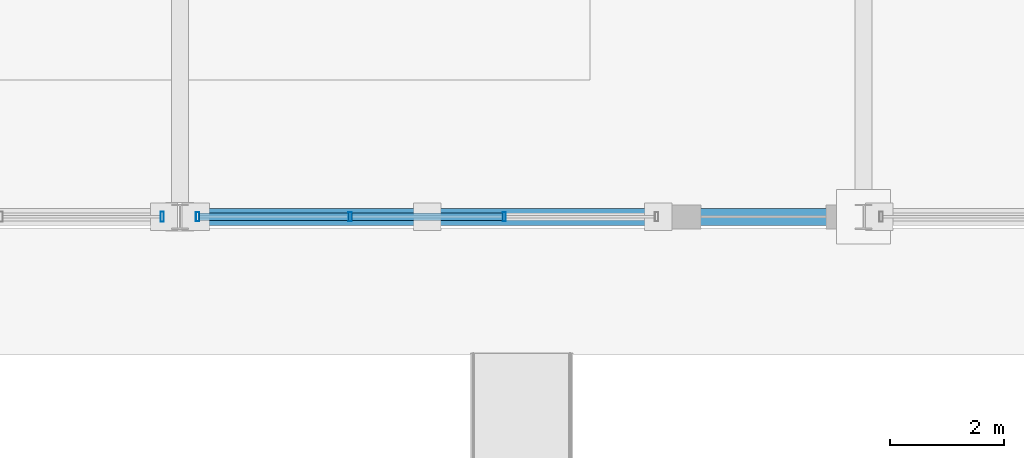
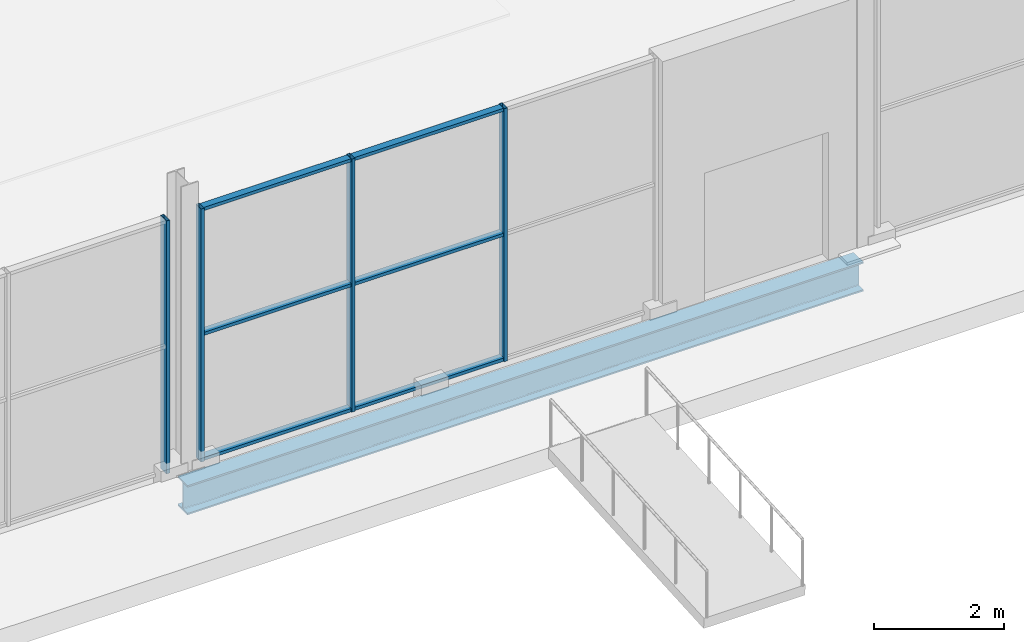
# One storey, part 69 of 196: 10 members, 1 beam, 2 elements without a shape of their own.
"""IFC4 building model written with IfcOpenShell, lengths in metres."""

import ifcopenshell
import ifcopenshell.guid

model = None  # the IFC model being written
_history = None  # IfcOwnerHistory: only IFC2X3 demands one
_inside = {}  # id of a spatial element -> (the spatial element, [elements in it])
_under = {}  # id of a project, library or spatial element -> (it, [spatial elements below it])
_declared = {}  # id of a project -> (the project, [libraries it declares])
_typed = {}  # id of a type object -> (the type object, [elements of that type])
_made_of = {}  # id of a material, layer set ... -> (it, [elements and type objects made of it])


def new_model(schema):
    """Start an empty IFC model of exactly this schema.

    Asked for "IFC4X3", IfcOpenShell would pick the latest addendum, in which some entities
    have other attributes; the version numbers below select the first issue.
    IFC2X3 requires an IfcOwnerHistory on every rooted entity: one is made here for all.
    """
    global model, _history
    if schema == "IFC4X3":
        model = ifcopenshell.file(schema_version=(4, 3, 0, 0))
    else:
        model = ifcopenshell.file(schema=schema)
    _inside.clear()
    _under.clear()
    _declared.clear()
    _typed.clear()
    _made_of.clear()
    _history = None
    if model.schema == "IFC2X3":
        org = make("IfcOrganization", Name="unknown")
        user = make(
            "IfcPersonAndOrganization",
            ThePerson=make("IfcPerson", FamilyName="unknown"),
            TheOrganization=org,
        )
        app = make(
            "IfcApplication",
            ApplicationDeveloper=org,
            Version="unknown",
            ApplicationFullName="unknown",
            ApplicationIdentifier="unknown",
        )
        _history = make(
            "IfcOwnerHistory",
            OwningUser=user,
            OwningApplication=app,
            ChangeAction="ADDED",
            CreationDate=0,
        )
    return model


def make(cls, **values):
    """One entity of the class cls with the attributes given. An attribute that is None is left unset."""
    return model.create_entity(
        cls, **{name: value for name, value in values.items() if value is not None}
    )


def rooted(cls, **values):
    """An entity with a GlobalId (a new one), such as an element, a storey or a relation."""
    return make(cls, GlobalId=ifcopenshell.guid.new(), OwnerHistory=_history, **values)


def si_unit(unit_type, name, prefix=None):
    """IfcSIUnit, for example si_unit("LENGTHUNIT", "METRE", prefix="MILLI")."""
    return make("IfcSIUnit", UnitType=unit_type, Prefix=prefix, Name=name)


def assignment(units):
    """IfcUnitAssignment: the units of a project."""
    return None if units is None else make("IfcUnitAssignment", Units=units)


def point(xyz):
    """IfcCartesianPoint."""
    return None if xyz is None else make("IfcCartesianPoint", Coordinates=xyz)


def direction(xyz):
    """IfcDirection."""
    return None if xyz is None else make("IfcDirection", DirectionRatios=xyz)


def frame(location, z_axis=None, x_axis=None):
    """IfcAxis2Placement3D, a coordinate frame: its origin and axes. An axis left out is left unset."""
    return make(
        "IfcAxis2Placement3D",
        Location=point(location),
        Axis=direction(z_axis),
        RefDirection=direction(x_axis),
    )


def frame_2d(location, x_axis=None):
    """IfcAxis2Placement2D, a coordinate frame in the plane: its origin and x axis."""
    return make(
        "IfcAxis2Placement2D", Location=point(location), RefDirection=direction(x_axis)
    )


def origin():
    """The frame at (0, 0, 0) with its axes left unset."""
    return frame((0.0, 0.0, 0.0))


def origin_2d():
    """The frame at (0, 0) in the plane with its x axis left unset."""
    return frame_2d((0.0, 0.0))


def place(relative_to, where):
    """IfcLocalPlacement: puts the frame where relative to a parent placement (None: the world)."""
    return make(
        "IfcLocalPlacement", PlacementRelTo=relative_to, RelativePlacement=where
    )


def context(
    kind, dimensions, precision=None, world=None, true_north=None, identifier=None
):
    """IfcGeometricRepresentationContext, for example the 3D "Model" context."""
    return make(
        "IfcGeometricRepresentationContext",
        ContextIdentifier=identifier,
        ContextType=kind,
        CoordinateSpaceDimension=dimensions,
        Precision=precision,
        WorldCoordinateSystem=world,
        TrueNorth=true_north,
    )


def subcontext(parent, identifier, kind, view, scale=None):
    """IfcGeometricRepresentationSubContext, for example "Body" below "Model"."""
    return make(
        "IfcGeometricRepresentationSubContext",
        ContextIdentifier=identifier,
        ContextType=kind,
        ParentContext=parent,
        TargetScale=scale,
        TargetView=view,
    )


def project(units=None, contexts=None):
    """IfcProject with its units and contexts."""
    return rooted(
        "IfcProject",
        Name="project",
        RepresentationContexts=contexts,
        UnitsInContext=assignment(units),
    )


def spatial(cls, under=None, at=None, **own):
    """A site, building, storey or space (cls), placed at a placement, below another one or the project."""
    s = rooted(cls, ObjectPlacement=at, **own)
    if under is not None:
        _under.setdefault(under.id(), (under, []))[1].append(s)
    return s


def profile(cls, at=None, kind="AREA", **sizes):
    """A parametric profile (cls). Its sizes go by their IFC names, for example OverallWidth=200.0."""
    return make(cls, ProfileType=kind, Position=at, **sizes)


def hollow_rectangle(**sizes):
    """IfcRectangleHollowProfileDef."""
    return profile("IfcRectangleHollowProfileDef", **sizes)


def i_section(**sizes):
    """IfcIShapeProfileDef."""
    return profile("IfcIShapeProfileDef", **sizes)


def extrude(swept, where, along, depth):
    """IfcExtrudedAreaSolid: the profile swept, set in the frame where, extruded along a direction by depth."""
    return make(
        "IfcExtrudedAreaSolid",
        SweptArea=swept,
        Position=where,
        ExtrudedDirection=direction(along),
        Depth=depth,
    )


def shape(context_of_items, identifier, shape_type, items):
    """IfcShapeRepresentation: the items that make up one representation, for example the "Body"."""
    return make(
        "IfcShapeRepresentation",
        ContextOfItems=context_of_items,
        RepresentationIdentifier=identifier,
        RepresentationType=shape_type,
        Items=items,
    )


def material(Name=None, Category=None):
    """IfcMaterial."""
    return make("IfcMaterial", Name=Name, Category=Category)


def material_profile(
    of_material, cross_section, Name=None, Category=None, Priority=None
):
    """IfcMaterialProfile: a cross section and its material."""
    return make(
        "IfcMaterialProfile",
        Name=Name,
        Material=of_material,
        Profile=cross_section,
        Priority=Priority,
        Category=Category,
    )


def profile_set(profiles, Name=None, composite=None):
    """IfcMaterialProfileSet."""
    return make(
        "IfcMaterialProfileSet",
        Name=Name,
        MaterialProfiles=profiles,
        CompositeProfile=composite,
    )


def made_of(thing, what):
    """Note that an element or type object is made of a material, layer set ...; save() writes the relation."""
    if what is not None:
        _made_of.setdefault(what.id(), (what, []))[1].append(thing)
    return thing


def type_object(cls, material=None, **own):
    """A type object (cls), such as IfcWallType, which elements share."""
    return made_of(rooted(cls, **own), material)


def element(
    cls,
    number,
    at=None,
    inside=None,
    cuts=None,
    type_object=None,
    material=None,
    context=None,
    identifier="Body",
    shape_type=None,
    held_by="IfcProductDefinitionShape",
    body=None,
    shapes=None,
    **own,
):
    """One element of the class cls, such as IfcWall. Its Tag is "e" and its number.

    at: its placement. inside: the storey or other place that contains it. cuts: it is an
    opening in that element (IfcRelVoidsElement). A single representation is given by context,
    identifier, shape_type and body (its items); several are given by shapes. held_by: the class
    of the entity that holds the representations. save() writes the other relations.
    """
    e = rooted(cls, Tag="e%d" % number, ObjectPlacement=at, **own)
    if body is not None:
        shapes = [shape(context, identifier, shape_type, body)]
    if shapes is not None:
        e.Representation = make(held_by, Representations=shapes)
    if inside is not None:
        _inside.setdefault(inside.id(), (inside, []))[1].append(e)
    if cuts is not None:
        rooted(
            "IfcRelVoidsElement", RelatingBuildingElement=cuts, RelatedOpeningElement=e
        )
    if type_object is not None:
        _typed.setdefault(type_object.id(), (type_object, []))[1].append(e)
    return made_of(e, material)


def aggregate(whole, parts):
    """IfcRelAggregates: a whole, such as a stair, and the parts it consists of."""
    return rooted("IfcRelAggregates", RelatingObject=whole, RelatedObjects=parts)


def save(model, path):
    """Write the relations noted so far, then the file.

    IfcRelAggregates (storeys below a building ...), IfcRelContainedInSpatialStructure (elements
    in a storey), IfcRelDefinesByType, IfcRelAssociatesMaterial and IfcRelDeclares: one each for
    every whole, place, type object, material and project.
    """
    for whole, parts in _under.values():
        aggregate(whole, parts)
    for where, things in _inside.values():
        rooted(
            "IfcRelContainedInSpatialStructure",
            RelatedElements=things,
            RelatingStructure=where,
        )
    for kind, things in _typed.values():
        rooted("IfcRelDefinesByType", RelatedObjects=things, RelatingType=kind)
    for what, things in _made_of.values():
        rooted("IfcRelAssociatesMaterial", RelatedObjects=things, RelatingMaterial=what)
    for by, libraries in _declared.values():
        rooted("IfcRelDeclares", RelatingContext=by, RelatedDefinitions=libraries)
    model.write(path)


model = new_model("IFC4")

# Units and contexts
model_context = context("Model", 3, precision=1e-05, world=origin(), true_north=direction((0.0, 1.0)))
body_context = subcontext(model_context, "Body", "Model", "MODEL_VIEW")
ifc_project = project(units=[si_unit("LENGTHUNIT", "METRE"), si_unit("AREAUNIT", "SQUARE_METRE"), si_unit("VOLUMEUNIT", "CUBIC_METRE"), si_unit("PLANEANGLEUNIT", "RADIAN"), si_unit("MASSUNIT", "GRAM", prefix="KILO")], contexts=[model_context])

# Site, building, storey
site_placement = place(None, origin())
site = spatial("IfcSite", under=ifc_project, at=site_placement, CompositionType="ELEMENT")
building_placement = place(site_placement, origin())
building = spatial("IfcBuilding", under=site, at=building_placement, Name="Merenkruunu Market Hall", CompositionType="ELEMENT")
storey_placement = place(building_placement, origin())
storey = spatial("IfcBuildingStorey", under=building, at=storey_placement, Name="L00", CompositionType="ELEMENT", Elevation=0.0)

# Curtain wall, members
ifc_material_1 = material(Name="Powder-coated aluminium", Category="aluminium")
curtain_wall_type_1 = type_object("IfcCurtainWallType", Name="Glazed Curtain Wall CW06", PredefinedType="USERDEFINED", material=ifc_material_1)
curtain_wall_1_placement = place(storey_placement, origin())
curtain_wall_1 = element("IfcCurtainWall", 1, at=curtain_wall_1_placement, inside=storey, type_object=curtain_wall_type_1, Name="CW-L00-CWM01-190", ObjectType="GLAZED_FACADE", PredefinedType="USERDEFINED")
ifc_material_profile_1 = material_profile(ifc_material_1, hollow_rectangle(XDim=0.06005859375, YDim=0.159912109375, WallThickness=0.00390625, at=origin_2d()), Name="ALU 60x160x4")
ifc_profile_set_1 = profile_set([ifc_material_profile_1], Name="Powder-coated aluminium")
member_type_1 = type_object("IfcMemberType", Name="Curtain Wall Mullion CWM01", PredefinedType="MULLION", material=ifc_profile_set_1)
member_1_placement = place(storey_placement, frame((118.493408203125, 15.60009765625, 0.0), z_axis=(0.0, 0.0, 1.0), x_axis=(-1.0, 0.0, 0.0)))
member_1 = element("IfcMember", 2, at=member_1_placement, type_object=member_type_1, Name="CW06 mullion 2", PredefinedType="MULLION", context=body_context, shape_type="SweptSolid", body=[
    extrude(hollow_rectangle(XDim=0.06005859375, YDim=0.159912109375, WallThickness=0.00390625, at=origin_2d()), origin(), (0.0, 0.0, 1.0), 4.75),
])
member_2_placement = place(storey_placement, frame((115.78662109375, 15.60009765625, 0.0), z_axis=(0.0, 0.0, 1.0), x_axis=(-1.0, 0.0, 0.0)))
member_2 = element("IfcMember", 3, at=member_2_placement, type_object=member_type_1, Name="CW06 mullion 3", PredefinedType="MULLION", context=body_context, shape_type="SweptSolid", body=[
    extrude(hollow_rectangle(XDim=0.06005859375, YDim=0.159912109375, WallThickness=0.00390625, at=origin_2d()), origin(), (0.0, 0.0, 1.0), 4.75),
])
member_3_placement = place(storey_placement, frame((113.110107421875, 15.60009765625, 0.0), z_axis=(0.0, 0.0, 1.0), x_axis=(-1.0, 0.0, 0.0)))
member_3 = element("IfcMember", 4, at=member_3_placement, type_object=member_type_1, Name="CW06 mullion 4", PredefinedType="MULLION", context=body_context, shape_type="SweptSolid", body=[
    extrude(hollow_rectangle(XDim=0.06005859375, YDim=0.159912109375, WallThickness=0.00390625, at=origin_2d()), origin(), (0.0, 0.0, 1.0), 4.75),
])

# Curtain wall, member
curtain_wall_type_2 = type_object("IfcCurtainWallType", Name="Glazed Curtain Wall CW04", PredefinedType="USERDEFINED", material=ifc_material_1)
curtain_wall_2_placement = place(storey_placement, origin())
curtain_wall_2 = element("IfcCurtainWall", 5, at=curtain_wall_2_placement, inside=storey, type_object=curtain_wall_type_2, Name="CW-L00-CWM02-186", ObjectType="GLAZED_FACADE", PredefinedType="USERDEFINED")
ifc_material_profile_2 = material_profile(ifc_material_1, hollow_rectangle(XDim=0.06005859375, YDim=0.179931640625, WallThickness=0.00390625, at=origin_2d()), Name="ALU 60x180x4")
ifc_profile_set_2 = profile_set([ifc_material_profile_2], Name="Powder-coated aluminium")
member_type_2 = type_object("IfcMemberType", Name="Curtain Wall Mullion CWM02", PredefinedType="MULLION", material=ifc_profile_set_2)
member_4_placement = place(storey_placement, frame((112.489990234375, 15.60009765625, 0.0), z_axis=(0.0, 0.0, 1.0), x_axis=(-1.0, 0.0, 0.0)))
member_4 = element("IfcMember", 6, at=member_4_placement, type_object=member_type_2, Name="CW04 mullion 1", PredefinedType="MULLION", context=body_context, shape_type="SweptSolid", body=[
    extrude(hollow_rectangle(XDim=0.06005859375, YDim=0.179931640625, WallThickness=0.00390625, at=origin_2d()), origin(), (0.0, 0.0, 1.0), 4.75),
])
aggregate(curtain_wall_2, [member_4])

# Member
ifc_material_profile_3 = material_profile(ifc_material_1, hollow_rectangle(XDim=0.06005859375, YDim=0.125, WallThickness=0.00390625, at=origin_2d()), Name="ALU 60x125x4")
ifc_profile_set_3 = profile_set([ifc_material_profile_3], Name="Powder-coated aluminium")
member_type_3 = type_object("IfcMemberType", Name="Curtain Wall Transom CWT01", PredefinedType="USERDEFINED", material=ifc_profile_set_3)
member_5_placement = place(storey_placement, frame((118.46337890625, 15.60009765625, 0.030029296875), z_axis=(-1.0, 0.0, 0.0), x_axis=(0.0, 0.0, 1.0)))
member_5 = element("IfcMember", 7, at=member_5_placement, type_object=member_type_3, Name="CW06 transom 2.1", ObjectType="TRANSOM", PredefinedType="USERDEFINED", context=body_context, shape_type="SweptSolid", body=[
    extrude(hollow_rectangle(XDim=0.06005859375, YDim=0.125, WallThickness=0.00390625, at=origin_2d()), origin(), (0.0, 0.0, 1.0), 2.646728515625),
])

member_6_placement = place(storey_placement, frame((118.46337890625, 15.60009765625, 2.375), z_axis=(-1.0, 0.0, 0.0), x_axis=(0.0, 0.0, 1.0)))
member_6 = element("IfcMember", 8, at=member_6_placement, type_object=member_type_3, Name="CW06 transom 2.2", ObjectType="TRANSOM", PredefinedType="USERDEFINED", context=body_context, shape_type="SweptSolid", body=[
    extrude(hollow_rectangle(XDim=0.06005859375, YDim=0.125, WallThickness=0.00390625, at=origin_2d()), origin(), (0.0, 0.0, 1.0), 2.646728515625),
])

member_7_placement = place(storey_placement, frame((118.46337890625, 15.60009765625, 4.719970703125), z_axis=(-1.0, 0.0, 0.0), x_axis=(0.0, 0.0, 1.0)))
member_7 = element("IfcMember", 9, at=member_7_placement, type_object=member_type_3, Name="CW06 transom 2.3", ObjectType="TRANSOM", PredefinedType="USERDEFINED", context=body_context, shape_type="SweptSolid", body=[
    extrude(hollow_rectangle(XDim=0.06005859375, YDim=0.125, WallThickness=0.00390625, at=origin_2d()), origin(), (0.0, 0.0, 1.0), 2.646728515625),
])

member_8_placement = place(storey_placement, frame((115.756591796875, 15.60009765625, 0.030029296875), z_axis=(-1.0, 0.0, 0.0), x_axis=(0.0, 0.0, 1.0)))
member_8 = element("IfcMember", 10, at=member_8_placement, type_object=member_type_3, Name="CW06 transom 3.1", ObjectType="TRANSOM", PredefinedType="USERDEFINED", context=body_context, shape_type="SweptSolid", body=[
    extrude(hollow_rectangle(XDim=0.06005859375, YDim=0.125, WallThickness=0.00390625, at=origin_2d()), origin(), (0.0, 0.0, 1.0), 2.61669921875),
])

member_9_placement = place(storey_placement, frame((115.756591796875, 15.60009765625, 2.375), z_axis=(-1.0, 0.0, 0.0), x_axis=(0.0, 0.0, 1.0)))
member_9 = element("IfcMember", 11, at=member_9_placement, type_object=member_type_3, Name="CW06 transom 3.2", ObjectType="TRANSOM", PredefinedType="USERDEFINED", context=body_context, shape_type="SweptSolid", body=[
    extrude(hollow_rectangle(XDim=0.06005859375, YDim=0.125, WallThickness=0.00390625, at=origin_2d()), origin(), (0.0, 0.0, 1.0), 2.61669921875),
])

member_10_placement = place(storey_placement, frame((115.756591796875, 15.60009765625, 4.719970703125), z_axis=(-1.0, 0.0, 0.0), x_axis=(0.0, 0.0, 1.0)))
member_10 = element("IfcMember", 12, at=member_10_placement, type_object=member_type_3, Name="CW06 transom 3.3", ObjectType="TRANSOM", PredefinedType="USERDEFINED", context=body_context, shape_type="SweptSolid", body=[
    extrude(hollow_rectangle(XDim=0.06005859375, YDim=0.125, WallThickness=0.00390625, at=origin_2d()), origin(), (0.0, 0.0, 1.0), 2.61669921875),
])

aggregate(curtain_wall_1, [member_1, member_2, member_3, member_5, member_6, member_7, member_8, member_9, member_10])

# Beam
ifc_material_2 = material(Name="Steel S355J2", Category="steel")
ifc_material_profile_4 = material_profile(ifc_material_2, i_section(OverallWidth=0.300048828125, OverallDepth=0.550048828125, WebThickness=0.014892578125, FlangeThickness=0.029052734375, FilletRadius=0.027099609375, at=origin_2d()), Name="HEB 550")
ifc_profile_set_4 = profile_set([ifc_material_profile_4], Name="Steel S355J2")
beam_type = type_object("IfcBeamType", Name="Primary Floor Girder B02", PredefinedType="BEAM", material=ifc_profile_set_4)
beam_placement = place(storey_placement, frame((112.800048828125, 15.60009765625, -0.574951171875), z_axis=(1.0, 0.0, 0.0), x_axis=(0.0, 1.0, 0.0)))
element("IfcBeam", 13, at=beam_placement, inside=storey, type_object=beam_type, Name="BM-L00-B02-0020", PredefinedType="BEAM", context=body_context, shape_type="SweptSolid", body=[
    extrude(i_section(OverallWidth=0.300048828125, OverallDepth=0.550048828125, WebThickness=0.014892578125, FlangeThickness=0.029052734375, FilletRadius=0.027099609375, at=origin_2d()), origin(), (0.0, 0.0, 1.0), 12.0),
])

save(model, "model.ifc")
